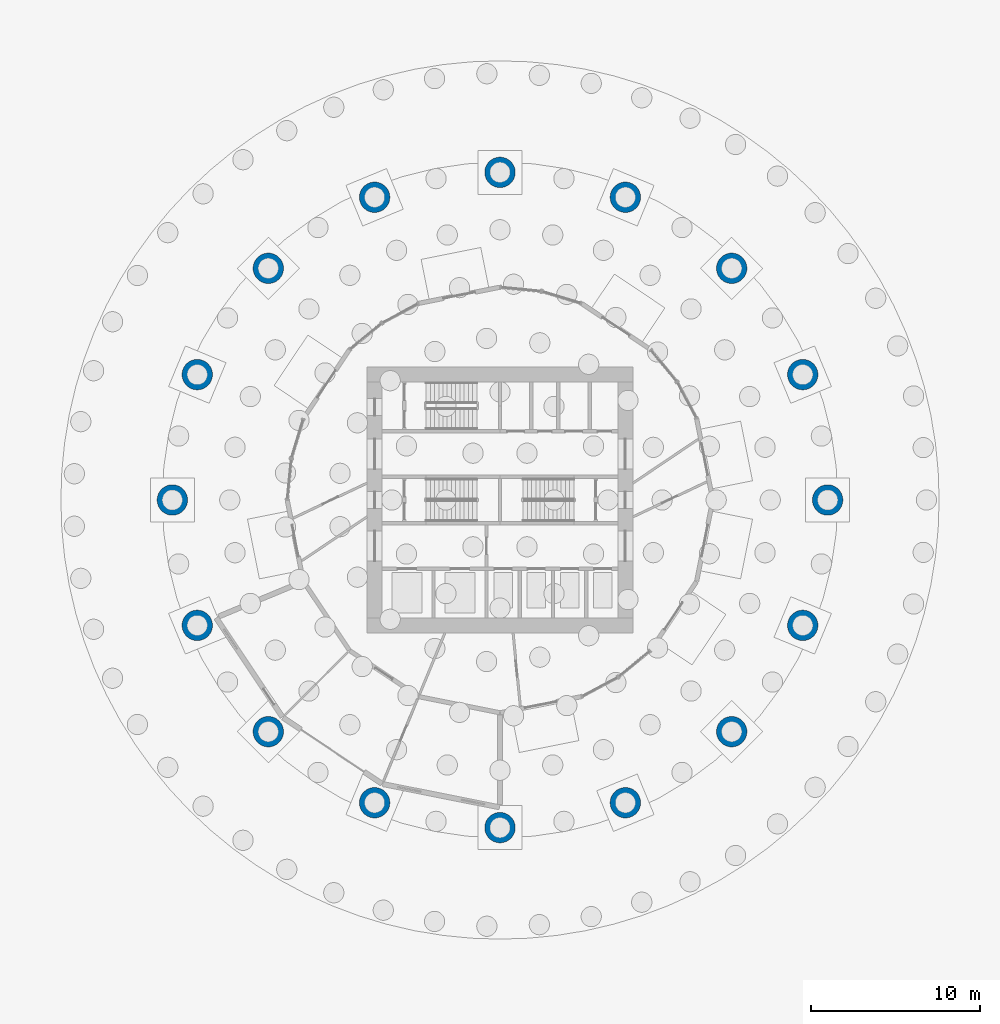
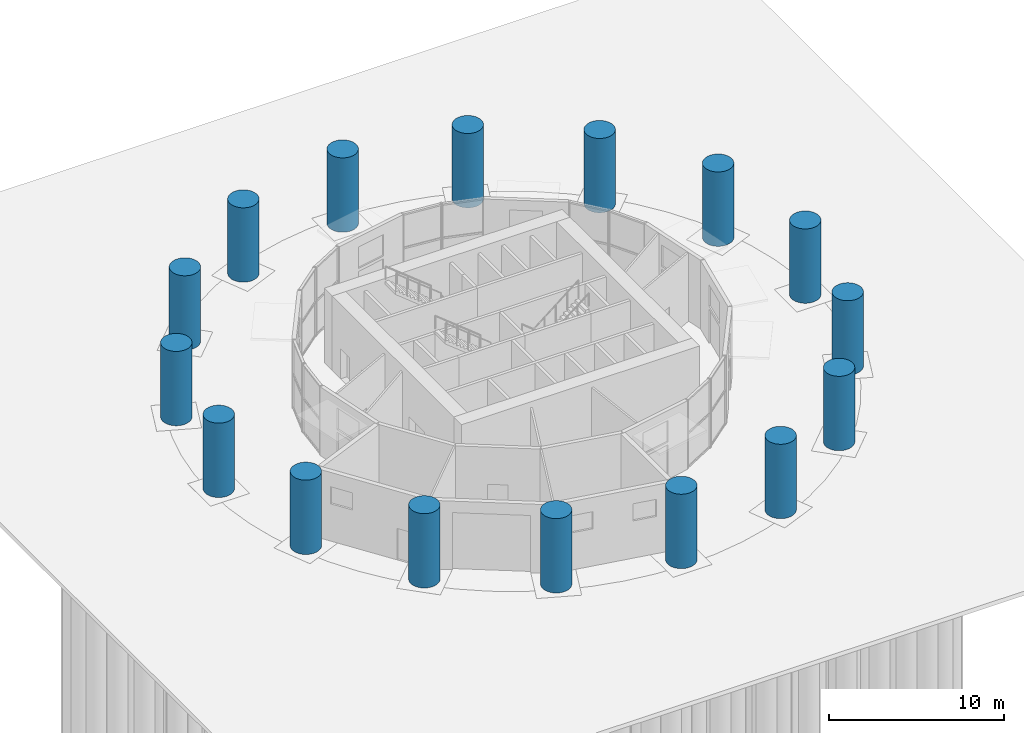
# One storey, part 2 of 10: 16 columns.
"""IFC4 building model written with IfcOpenShell, lengths in metres."""

import ifcopenshell
import ifcopenshell.guid

model = None  # the IFC model being written
_history = None  # IfcOwnerHistory: only IFC2X3 demands one
_inside = {}  # id of a spatial element -> (the spatial element, [elements in it])
_under = {}  # id of a project, library or spatial element -> (it, [spatial elements below it])
_declared = {}  # id of a project -> (the project, [libraries it declares])
_typed = {}  # id of a type object -> (the type object, [elements of that type])
_made_of = {}  # id of a material, layer set ... -> (it, [elements and type objects made of it])


def new_model(schema):
    """Start an empty IFC model of exactly this schema.

    Asked for "IFC4X3", IfcOpenShell would pick the latest addendum, in which some entities
    have other attributes; the version numbers below select the first issue.
    IFC2X3 requires an IfcOwnerHistory on every rooted entity: one is made here for all.
    """
    global model, _history
    if schema == "IFC4X3":
        model = ifcopenshell.file(schema_version=(4, 3, 0, 0))
    else:
        model = ifcopenshell.file(schema=schema)
    _inside.clear()
    _under.clear()
    _declared.clear()
    _typed.clear()
    _made_of.clear()
    _history = None
    if model.schema == "IFC2X3":
        org = make("IfcOrganization", Name="unknown")
        user = make(
            "IfcPersonAndOrganization",
            ThePerson=make("IfcPerson", FamilyName="unknown"),
            TheOrganization=org,
        )
        app = make(
            "IfcApplication",
            ApplicationDeveloper=org,
            Version="unknown",
            ApplicationFullName="unknown",
            ApplicationIdentifier="unknown",
        )
        _history = make(
            "IfcOwnerHistory",
            OwningUser=user,
            OwningApplication=app,
            ChangeAction="ADDED",
            CreationDate=0,
        )
    return model


def make(cls, **values):
    """One entity of the class cls with the attributes given. An attribute that is None is left unset."""
    return model.create_entity(
        cls, **{name: value for name, value in values.items() if value is not None}
    )


def rooted(cls, **values):
    """An entity with a GlobalId (a new one), such as an element, a storey or a relation."""
    return make(cls, GlobalId=ifcopenshell.guid.new(), OwnerHistory=_history, **values)


def si_unit(unit_type, name, prefix=None):
    """IfcSIUnit, for example si_unit("LENGTHUNIT", "METRE", prefix="MILLI")."""
    return make("IfcSIUnit", UnitType=unit_type, Prefix=prefix, Name=name)


def assignment(units):
    """IfcUnitAssignment: the units of a project."""
    return None if units is None else make("IfcUnitAssignment", Units=units)


def point(xyz):
    """IfcCartesianPoint."""
    return None if xyz is None else make("IfcCartesianPoint", Coordinates=xyz)


def direction(xyz):
    """IfcDirection."""
    return None if xyz is None else make("IfcDirection", DirectionRatios=xyz)


def frame(location, z_axis=None, x_axis=None):
    """IfcAxis2Placement3D, a coordinate frame: its origin and axes. An axis left out is left unset."""
    return make(
        "IfcAxis2Placement3D",
        Location=point(location),
        Axis=direction(z_axis),
        RefDirection=direction(x_axis),
    )


def frame_2d(location, x_axis=None):
    """IfcAxis2Placement2D, a coordinate frame in the plane: its origin and x axis."""
    return make(
        "IfcAxis2Placement2D", Location=point(location), RefDirection=direction(x_axis)
    )


def origin():
    """The frame at (0, 0, 0) with its axes left unset."""
    return frame((0.0, 0.0, 0.0))


def origin_2d():
    """The frame at (0, 0) in the plane with its x axis left unset."""
    return frame_2d((0.0, 0.0))


def place(relative_to, where):
    """IfcLocalPlacement: puts the frame where relative to a parent placement (None: the world)."""
    return make(
        "IfcLocalPlacement", PlacementRelTo=relative_to, RelativePlacement=where
    )


def context(
    kind, dimensions, precision=None, world=None, true_north=None, identifier=None
):
    """IfcGeometricRepresentationContext, for example the 3D "Model" context."""
    return make(
        "IfcGeometricRepresentationContext",
        ContextIdentifier=identifier,
        ContextType=kind,
        CoordinateSpaceDimension=dimensions,
        Precision=precision,
        WorldCoordinateSystem=world,
        TrueNorth=true_north,
    )


def subcontext(parent, identifier, kind, view, scale=None):
    """IfcGeometricRepresentationSubContext, for example "Body" below "Model"."""
    return make(
        "IfcGeometricRepresentationSubContext",
        ContextIdentifier=identifier,
        ContextType=kind,
        ParentContext=parent,
        TargetScale=scale,
        TargetView=view,
    )


def project(units=None, contexts=None):
    """IfcProject with its units and contexts."""
    return rooted(
        "IfcProject",
        Name="project",
        RepresentationContexts=contexts,
        UnitsInContext=assignment(units),
    )


def spatial(cls, under=None, at=None, **own):
    """A site, building, storey or space (cls), placed at a placement, below another one or the project."""
    s = rooted(cls, ObjectPlacement=at, **own)
    if under is not None:
        _under.setdefault(under.id(), (under, []))[1].append(s)
    return s


def profile(cls, at=None, kind="AREA", **sizes):
    """A parametric profile (cls). Its sizes go by their IFC names, for example OverallWidth=200.0."""
    return make(cls, ProfileType=kind, Position=at, **sizes)


def circle(**sizes):
    """IfcCircleProfileDef."""
    return profile("IfcCircleProfileDef", **sizes)


def extrude(swept, where, along, depth):
    """IfcExtrudedAreaSolid: the profile swept, set in the frame where, extruded along a direction by depth."""
    return make(
        "IfcExtrudedAreaSolid",
        SweptArea=swept,
        Position=where,
        ExtrudedDirection=direction(along),
        Depth=depth,
    )


def shape(context_of_items, identifier, shape_type, items):
    """IfcShapeRepresentation: the items that make up one representation, for example the "Body"."""
    return make(
        "IfcShapeRepresentation",
        ContextOfItems=context_of_items,
        RepresentationIdentifier=identifier,
        RepresentationType=shape_type,
        Items=items,
    )


def material(Name=None, Category=None):
    """IfcMaterial."""
    return make("IfcMaterial", Name=Name, Category=Category)


def material_profile(
    of_material, cross_section, Name=None, Category=None, Priority=None
):
    """IfcMaterialProfile: a cross section and its material."""
    return make(
        "IfcMaterialProfile",
        Name=Name,
        Material=of_material,
        Profile=cross_section,
        Priority=Priority,
        Category=Category,
    )


def profile_set(profiles, Name=None, composite=None):
    """IfcMaterialProfileSet."""
    return make(
        "IfcMaterialProfileSet",
        Name=Name,
        MaterialProfiles=profiles,
        CompositeProfile=composite,
    )


def made_of(thing, what):
    """Note that an element or type object is made of a material, layer set ...; save() writes the relation."""
    if what is not None:
        _made_of.setdefault(what.id(), (what, []))[1].append(thing)
    return thing


def type_object(cls, material=None, **own):
    """A type object (cls), such as IfcWallType, which elements share."""
    return made_of(rooted(cls, **own), material)


def element(
    cls,
    number,
    at=None,
    inside=None,
    cuts=None,
    type_object=None,
    material=None,
    context=None,
    identifier="Body",
    shape_type=None,
    held_by="IfcProductDefinitionShape",
    body=None,
    shapes=None,
    **own,
):
    """One element of the class cls, such as IfcWall. Its Tag is "e" and its number.

    at: its placement. inside: the storey or other place that contains it. cuts: it is an
    opening in that element (IfcRelVoidsElement). A single representation is given by context,
    identifier, shape_type and body (its items); several are given by shapes. held_by: the class
    of the entity that holds the representations. save() writes the other relations.
    """
    e = rooted(cls, Tag="e%d" % number, ObjectPlacement=at, **own)
    if body is not None:
        shapes = [shape(context, identifier, shape_type, body)]
    if shapes is not None:
        e.Representation = make(held_by, Representations=shapes)
    if inside is not None:
        _inside.setdefault(inside.id(), (inside, []))[1].append(e)
    if cuts is not None:
        rooted(
            "IfcRelVoidsElement", RelatingBuildingElement=cuts, RelatedOpeningElement=e
        )
    if type_object is not None:
        _typed.setdefault(type_object.id(), (type_object, []))[1].append(e)
    return made_of(e, material)


def aggregate(whole, parts):
    """IfcRelAggregates: a whole, such as a stair, and the parts it consists of."""
    return rooted("IfcRelAggregates", RelatingObject=whole, RelatedObjects=parts)


def save(model, path):
    """Write the relations noted so far, then the file.

    IfcRelAggregates (storeys below a building ...), IfcRelContainedInSpatialStructure (elements
    in a storey), IfcRelDefinesByType, IfcRelAssociatesMaterial and IfcRelDeclares: one each for
    every whole, place, type object, material and project.
    """
    for whole, parts in _under.values():
        aggregate(whole, parts)
    for where, things in _inside.values():
        rooted(
            "IfcRelContainedInSpatialStructure",
            RelatedElements=things,
            RelatingStructure=where,
        )
    for kind, things in _typed.values():
        rooted("IfcRelDefinesByType", RelatedObjects=things, RelatingType=kind)
    for what, things in _made_of.values():
        rooted("IfcRelAssociatesMaterial", RelatedObjects=things, RelatingMaterial=what)
    for by, libraries in _declared.values():
        rooted("IfcRelDeclares", RelatingContext=by, RelatedDefinitions=libraries)
    model.write(path)


model = new_model("IFC4")

# Units and contexts
model_context = context("Model", 3, precision=1e-05, world=origin(), true_north=direction((0.0, 1.0)))
body_context = subcontext(model_context, "Body", "Model", "MODEL_VIEW")
ifc_project = project(units=[si_unit("LENGTHUNIT", "METRE"), si_unit("AREAUNIT", "SQUARE_METRE"), si_unit("VOLUMEUNIT", "CUBIC_METRE"), si_unit("PLANEANGLEUNIT", "RADIAN"), si_unit("MASSUNIT", "GRAM", prefix="KILO")], contexts=[model_context])

# Site, building, storey
site_placement = place(None, origin())
site = spatial("IfcSite", under=ifc_project, at=site_placement, CompositionType="ELEMENT")
building_placement = place(site_placement, origin())
building = spatial("IfcBuilding", under=site, at=building_placement, Name="Polderwave Tower", CompositionType="ELEMENT")
storey_placement = place(building_placement, origin())
storey = spatial("IfcBuildingStorey", under=building, at=storey_placement, Name="L00", CompositionType="ELEMENT", Elevation=0.0)

# Columns
ifc_material = material(Name="Concrete C80/95", Category="concrete")
ifc_material_profile = material_profile(ifc_material, circle(Radius=0.89990234375, at=origin_2d()), Name="RC D1800")
ifc_profile_set = profile_set([ifc_material_profile], Name="Concrete C80/95")
column_type = type_object("IfcColumnType", Name="RC COLUMN D1800 C80/95", PredefinedType="COLUMN", material=ifc_profile_set)
for number, where, z_axis, x_axis, name in (
    (1, (19.39990234375, 0.0, 0.0), (0.0, 0.0, 1.0), (1.0, 0.0, 0.0), "Ring column 01"),
    (2, (17.92333984375, 7.424072265625, 0.0), (0.0, 0.0, 1.0), (0.923879532511, 0.382683432365, 0.0), "Ring column 02"),
    (3, (13.7177734375, 13.7177734375, 0.0), (0.0, 0.0, 1.0), (0.707106781187, 0.707106781187, 0.0), "Ring column 03"),
    (4, (7.424072265625, 17.92333984375, 0.0), (0.0, 0.0, 1.0), (0.382683432365, 0.923879532511, 0.0), "Ring column 04"),
    (5, (0.0, 19.39990234375, 0.0), (0.0, 0.0, 1.0), (0.0, 1.0, 0.0), "Ring column 05"),
    (6, (-7.424072265625, 17.92333984375, 0.0), (0.0, 0.0, 1.0), (-0.382683432365, 0.923879532511, 0.0), "Ring column 06"),
    (7, (-13.7177734375, 13.7177734375, 0.0), (0.0, 0.0, 1.0), (-0.707106781187, 0.707106781187, 0.0), "Ring column 07"),
    (8, (-17.92333984375, 7.424072265625, 0.0), (0.0, 0.0, 1.0), (-0.923879532511, 0.382683432365, 0.0), "Ring column 08"),
    (9, (-19.39990234375, 0.0, 0.0), (0.0, 0.0, 1.0), (-1.0, 0.0, 0.0), "Ring column 09"),
    (10, (-17.92333984375, -7.424072265625, 0.0), (0.0, 0.0, 1.0), (-0.923879532511, -0.382683432365, 0.0), "Ring column 10"),
    (11, (-13.7177734375, -13.7177734375, 0.0), (0.0, 0.0, 1.0), (-0.707106781187, -0.707106781187, 0.0), "Ring column 11"),
    (12, (-7.424072265625, -17.92333984375, 0.0), (0.0, 0.0, 1.0), (-0.382683432365, -0.923879532511, 0.0), "Ring column 12"),
    (13, (0.0, -19.39990234375, 0.0), (0.0, 0.0, 1.0), (0.0, -1.0, 0.0), "Ring column 13"),
    (14, (7.424072265625, -17.92333984375, 0.0), (0.0, 0.0, 1.0), (0.382683432365, -0.923879532511, 0.0), "Ring column 14"),
    (15, (13.7177734375, -13.7177734375, 0.0), (0.0, 0.0, 1.0), (0.707106781187, -0.707106781187, 0.0), "Ring column 15"),
    (16, (17.92333984375, -7.424072265625, 0.0), (0.0, 0.0, 1.0), (0.923879532511, -0.382683432365, 0.0), "Ring column 16"),
):
    element("IfcColumn", number, at=place(storey_placement, frame(where, z_axis=z_axis, x_axis=x_axis)), inside=storey, type_object=column_type, Name=name, PredefinedType="COLUMN", context=body_context, shape_type="SweptSolid", body=[
        extrude(circle(Radius=0.89990234375, at=origin_2d()), origin(), (0.0, 0.0, 1.0), 5.199951171875),
    ])

save(model, "model.ifc")
